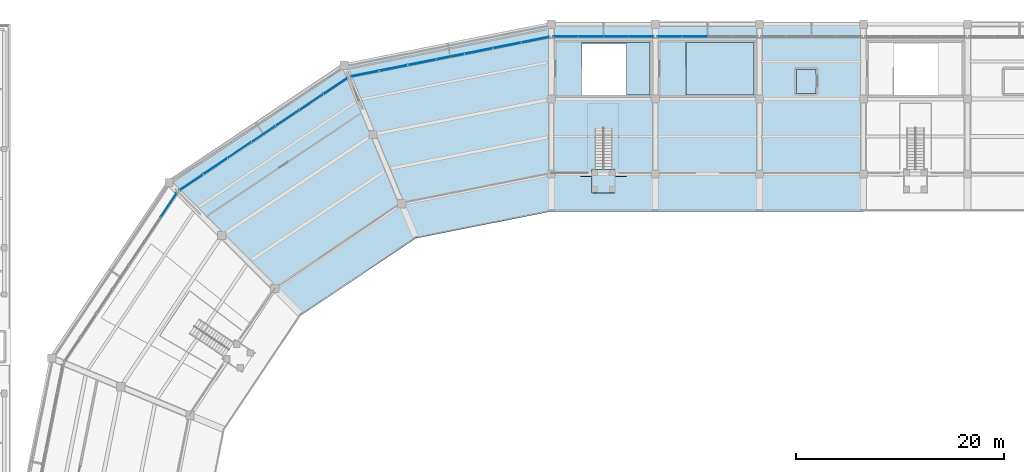
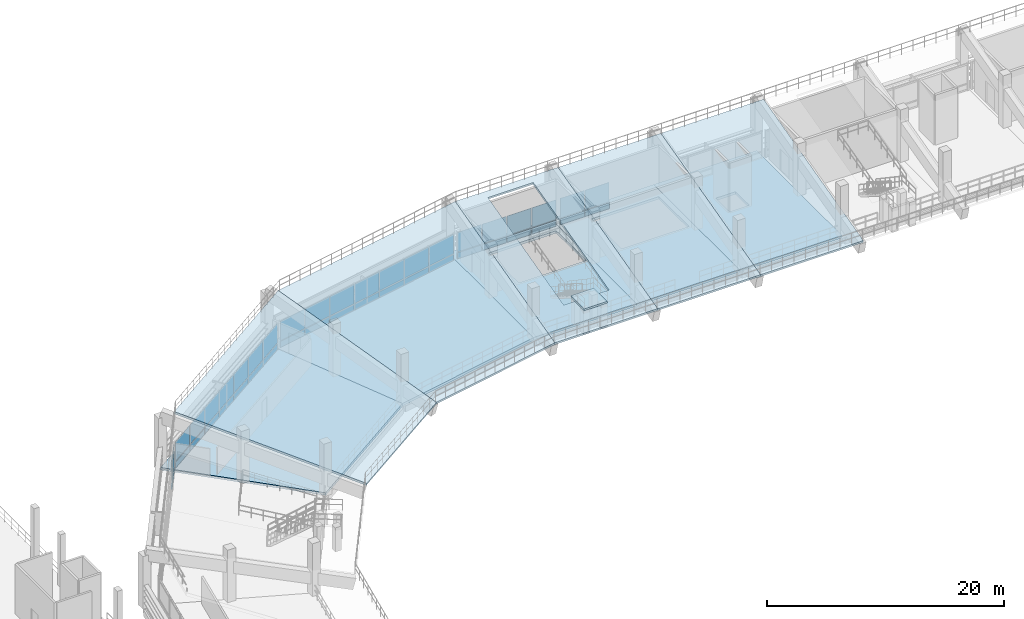
# One storey, part 56 of 96: 42 plates, 11 slabs, 6 elements without a shape of their own.
"""IFC4 building model written with IfcOpenShell, lengths in metres."""

from ifc_helpers import new_model, si_unit, direction, frame, origin, origin_2d, place, context, subcontext, project, spatial, polyline, rectangle, outline, extrude, material, layer, layer_set, type_object, element, aggregate, save


model = new_model("IFC4")

# Units and contexts
model_context = context("Model", 3, precision=1e-05, world=origin(), true_north=direction((0.0, 1.0)))
body_context = subcontext(model_context, "Body", "Model", "MODEL_VIEW")
ifc_project = project(units=[si_unit("LENGTHUNIT", "METRE"), si_unit("AREAUNIT", "SQUARE_METRE"), si_unit("VOLUMEUNIT", "CUBIC_METRE"), si_unit("PLANEANGLEUNIT", "RADIAN"), si_unit("MASSUNIT", "GRAM", prefix="KILO")], contexts=[model_context])

# Site, building, storey
site_placement = place(None, origin())
site = spatial("IfcSite", under=ifc_project, at=site_placement, CompositionType="ELEMENT")
building_placement = place(site_placement, origin())
building = spatial("IfcBuilding", under=site, at=building_placement, Name="Candeia Ridge Stadium", CompositionType="ELEMENT")
storey_placement = place(building_placement, frame((0.0, 0.0, 21.60009765625)))
storey = spatial("IfcBuildingStorey", under=building, at=storey_placement, Name="L04", CompositionType="ELEMENT", Elevation=21.60009765625)

# Slabs
ifc_material_1 = material(Name="Concrete C40/50", Category="concrete")
ifc_layer_1 = layer(ifc_material_1, 0.260009765625, Name="Concrete C40/50", Category="concrete")
ifc_layer_set_1 = layer_set([ifc_layer_1], Name="Concrete C40/50")
slab_type_1 = type_object("IfcSlabType", Name="Concourse Structural Slab 260", PredefinedType="FLOOR", material=ifc_layer_set_1)
slab_1_placement = place(storey_placement, frame((0.0, 0.0, -0.260009765625)))
element("IfcSlab", 1, at=slab_1_placement, inside=storey, type_object=slab_type_1, Name="Bowl concourse sector slab L04 bay 05 SLB-L04-0149", PredefinedType="FLOOR", context=body_context, shape_type="SweptSolid", body=[
    extrude(outline(polyline([(91.0, 132.60009765625), (91.0, 147.0), (101.0, 147.0), (101.0, 132.60009765625), (91.0, 132.60009765625)]), holes=[polyline([(96.449951171875, 140.35009765625), (96.449951171875, 142.64990234375), (94.550048828125, 142.64990234375), (94.550048828125, 140.35009765625), (96.449951171875, 140.35009765625)])]), origin(), (0.0, 0.0, 1.0), 0.260009765625),
])
slab_2_placement = place(storey_placement, frame((0.0, 0.0, -0.260009765625)))
element("IfcSlab", 2, at=slab_2_placement, inside=storey, type_object=slab_type_1, Name="Bowl concourse sector slab L04 bay 06 SLB-L04-0150", PredefinedType="FLOOR", context=body_context, shape_type="SweptSolid", body=[
    extrude(outline(polyline([(81.0, 132.60009765625), (81.0, 147.0), (91.0, 147.0), (91.0, 132.60009765625), (81.0, 132.60009765625)]), holes=[polyline([(90.5, 140.199951171875), (90.5, 145.25), (83.95068359375, 145.25), (83.95068359375, 140.199951171875), (90.5, 140.199951171875)])]), origin(), (0.0, 0.0, 1.0), 0.260009765625),
])
slab_3_placement = place(storey_placement, frame((0.0, 0.0, -0.260009765625)))
element("IfcSlab", 3, at=slab_3_placement, inside=storey, type_object=slab_type_1, Name="Bowl concourse sector slab L04 bay 07 SLB-L04-0151", PredefinedType="FLOOR", context=body_context, shape_type="SweptSolid", body=[
    extrude(outline(polyline([(71.0, 132.60009765625), (71.0, 147.0), (81.0, 147.0), (81.0, 132.60009765625), (71.0, 132.60009765625)]), holes=[polyline([(73.95068359375, 140.199951171875), (80.5, 140.199951171875), (80.5, 145.25), (73.95068359375, 145.25), (73.95068359375, 140.199951171875)])]), origin(), (0.0, 0.0, 1.0), 0.260009765625),
])
slab_4_placement = place(storey_placement, frame((0.0, 0.0, -0.260009765625)))
element("IfcSlab", 4, at=slab_4_placement, inside=storey, type_object=slab_type_1, Name="Bowl concourse sector slab L04 bay 08 SLB-L04-0152", PredefinedType="FLOOR", context=body_context, shape_type="SweptSolid", body=[
    extrude(outline(polyline([(56.611083984375, 129.73779296875), (51.1005859375, 143.041748046875), (71.0, 147.0), (71.0, 132.60009765625), (56.611083984375, 129.73779296875)])), origin(), (0.0, 0.0, 1.0), 0.260009765625),
])
slab_5_placement = place(storey_placement, frame((0.0, 0.0, -0.260009765625)))
element("IfcSlab", 5, at=slab_5_placement, inside=storey, type_object=slab_type_1, Name="Bowl concourse sector slab L04 bay 09 SLB-L04-0153", PredefinedType="FLOOR", context=body_context, shape_type="SweptSolid", body=[
    extrude(outline(polyline([(44.446044921875, 121.609375), (34.263671875, 131.791748046875), (51.1005859375, 143.041748046875), (56.611083984375, 129.73779296875), (44.446044921875, 121.609375)])), origin(), (0.0, 0.0, 1.0), 0.260009765625),
])

# Stair, slab
ifc_material_2 = material(Name="Precast concrete C45/55", Category="concrete")
stair_type = type_object("IfcStairType", Name="Spectator Vomitory Straight Stair 2200", PredefinedType="STRAIGHT_RUN_STAIR", material=ifc_material_2)
stair_placement = place(storey_placement, origin())
stair = element("IfcStair", 6, at=stair_placement, inside=storey, type_object=stair_type, Name="Vomitory stair VS27", PredefinedType="STRAIGHT_RUN_STAIR")
ifc_layer_2 = layer(ifc_material_1, 0.199951171875, Name="Concrete C40/50", Category="concrete")
ifc_layer_set_2 = layer_set([ifc_layer_2], Name="Concrete C40/50")
slab_type_2 = type_object("IfcSlabType", Name="Core Stair Landing Slab 200", PredefinedType="LANDING", material=ifc_layer_set_2)
slab_6_placement = place(storey_placement, frame((0.0, 0.0, 2.493896484375)))
slab_6 = element("IfcSlab", 7, at=slab_6_placement, type_object=slab_type_2, Name="VS27 landing 1", PredefinedType="LANDING", context=body_context, shape_type="SweptSolid", body=[
    extrude(outline(polyline([(77.1201171875, 133.032470703125), (77.1201171875, 130.781982421875), (74.8798828125, 130.781982421875), (74.8798828125, 133.032470703125), (77.1201171875, 133.032470703125)])), origin(), (0.0, 0.0, 1.0), 0.199951171875),
])
aggregate(stair, [slab_6])

# Curtain wall, plates
ifc_material_3 = material(Name="Aluminium Anodized Warm Bronze", Category="aluminium")
curtain_wall_type = type_object("IfcCurtainWallType", Name="Concourse Recessed Unitised Curtain Wall", PredefinedType="NOTDEFINED", material=ifc_material_3)
curtain_wall_1_placement = place(storey_placement, origin())
curtain_wall_1 = element("IfcCurtainWall", 8, at=curtain_wall_1_placement, inside=storey, type_object=curtain_wall_type, Name="Unitised curtain wall CW-BWL-L04-08", PredefinedType="NOTDEFINED")
ifc_material_4 = material(Name="Aluminium Insulated Spandrel", Category="aluminium")
ifc_layer_3 = layer(ifc_material_4, 0.06494140625, Name="Aluminium Insulated Spandrel", Category="aluminium")
ifc_layer_set_3 = layer_set([ifc_layer_3], Name="Aluminium Insulated Spandrel")
plate_type_1 = type_object("IfcPlateType", Name="Insulated Bronze Spandrel Panel SP1", PredefinedType="CURTAIN_PANEL", material=ifc_layer_set_3)
plate_1_placement = place(storey_placement, frame((50.254150390625, 141.060791015625, 0.0400390625), z_axis=(0.0, 0.0, 1.0), x_axis=(-0.831468800789, -0.555571447533, 0.0)))
plate_1 = element("IfcPlate", 9, at=plate_1_placement, type_object=plate_type_1, Name="Curtain wall spandrel panel CW-BWL-L04-08-SP0", PredefinedType="CURTAIN_PANEL", context=body_context, shape_type="SweptSolid", body=[
    extrude(rectangle(XDim=2.710205078125, YDim=0.06494140625, at=origin_2d()), origin(), (0.0, 0.0, 1.0), 0.613037109375),
])
plate_2_placement = place(storey_placement, frame((47.942626953125, 139.51611328125, 0.0400390625), z_axis=(0.0, 0.0, 1.0), x_axis=(-0.831468800789, -0.555571447533, 0.0)))
plate_2 = element("IfcPlate", 10, at=plate_2_placement, type_object=plate_type_1, Name="Curtain wall spandrel panel CW-BWL-L04-08-SP1", PredefinedType="CURTAIN_PANEL", context=body_context, shape_type="SweptSolid", body=[
    extrude(rectangle(XDim=2.710205078125, YDim=0.06494140625, at=origin_2d()), origin(), (0.0, 0.0, 1.0), 0.613037109375),
])
plate_3_placement = place(storey_placement, frame((45.630859375, 137.9716796875, 0.0400390625), z_axis=(0.0, 0.0, 1.0), x_axis=(-0.831468800789, -0.555571447533, 0.0)))
plate_3 = element("IfcPlate", 11, at=plate_3_placement, type_object=plate_type_1, Name="Curtain wall spandrel panel CW-BWL-L04-08-SP2", PredefinedType="CURTAIN_PANEL", context=body_context, shape_type="SweptSolid", body=[
    extrude(rectangle(XDim=2.710205078125, YDim=0.06494140625, at=origin_2d()), origin(), (0.0, 0.0, 1.0), 0.613037109375),
])
plate_4_placement = place(storey_placement, frame((43.3193359375, 136.427001953125, 0.0400390625), z_axis=(0.0, 0.0, 1.0), x_axis=(-0.831468800789, -0.555571447533, 0.0)))
plate_4 = element("IfcPlate", 12, at=plate_4_placement, type_object=plate_type_1, Name="Curtain wall spandrel panel CW-BWL-L04-08-SP3", PredefinedType="CURTAIN_PANEL", context=body_context, shape_type="SweptSolid", body=[
    extrude(rectangle(XDim=2.710205078125, YDim=0.06494140625, at=origin_2d()), origin(), (0.0, 0.0, 1.0), 0.613037109375),
])
plate_5_placement = place(storey_placement, frame((41.0078125, 134.882568359375, 0.0400390625), z_axis=(0.0, 0.0, 1.0), x_axis=(-0.831468800789, -0.555571447533, 0.0)))
plate_5 = element("IfcPlate", 13, at=plate_5_placement, type_object=plate_type_1, Name="Curtain wall spandrel panel CW-BWL-L04-08-SP4", PredefinedType="CURTAIN_PANEL", context=body_context, shape_type="SweptSolid", body=[
    extrude(rectangle(XDim=2.710205078125, YDim=0.06494140625, at=origin_2d()), origin(), (0.0, 0.0, 1.0), 0.613037109375),
])
plate_6_placement = place(storey_placement, frame((38.696044921875, 133.337890625, 0.0400390625), z_axis=(0.0, 0.0, 1.0), x_axis=(-0.831468800789, -0.555571447533, 0.0)))
plate_6 = element("IfcPlate", 14, at=plate_6_placement, type_object=plate_type_1, Name="Curtain wall spandrel panel CW-BWL-L04-08-SP5", PredefinedType="CURTAIN_PANEL", context=body_context, shape_type="SweptSolid", body=[
    extrude(rectangle(XDim=2.710205078125, YDim=0.06494140625, at=origin_2d()), origin(), (0.0, 0.0, 1.0), 0.613037109375),
])
plate_7_placement = place(storey_placement, frame((36.384521484375, 131.793212890625, 0.0400390625), z_axis=(0.0, 0.0, 1.0), x_axis=(-0.831468800789, -0.555571447533, 0.0)))
plate_7 = element("IfcPlate", 15, at=plate_7_placement, type_object=plate_type_1, Name="Curtain wall spandrel panel CW-BWL-L04-08-SP6", PredefinedType="CURTAIN_PANEL", context=body_context, shape_type="SweptSolid", body=[
    extrude(rectangle(XDim=2.710205078125, YDim=0.06494140625, at=origin_2d()), origin(), (0.0, 0.0, 1.0), 0.613037109375),
])

curtain_wall_2_placement = place(storey_placement, origin())
curtain_wall_2 = element("IfcCurtainWall", 16, at=curtain_wall_2_placement, inside=storey, type_object=curtain_wall_type, Name="Unitised curtain wall CW-BWL-L04-05", PredefinedType="NOTDEFINED")
ifc_layer_4 = layer(ifc_material_4, 0.06494140625, Name="Aluminium Insulated Spandrel", Category="aluminium")
ifc_layer_set_4 = layer_set([ifc_layer_4], Name="Aluminium Insulated Spandrel")
plate_type_2 = type_object("IfcPlateType", Name="Insulated Bronze Spandrel Panel SP2", PredefinedType="CURTAIN_PANEL", material=ifc_layer_set_4)
plate_8_placement = place(storey_placement, frame((84.794921875, 145.800048828125, 0.0400390625), z_axis=(0.0, 0.0, 1.0), x_axis=(-1.0, 0.0, 0.0)))
plate_8 = element("IfcPlate", 17, at=plate_8_placement, type_object=plate_type_2, Name="Curtain wall spandrel panel CW-BWL-L04-05-SP2", PredefinedType="CURTAIN_PANEL", context=body_context, shape_type="SweptSolid", body=[
    extrude(rectangle(XDim=2.340087890625, YDim=0.06494140625, at=origin_2d()), origin(), (0.0, 0.0, 1.0), 0.613037109375),
])
plate_9_placement = place(storey_placement, frame((82.385009765625, 145.800048828125, 0.0400390625), z_axis=(0.0, 0.0, 1.0), x_axis=(-1.0, 0.0, 0.0)))
plate_9 = element("IfcPlate", 18, at=plate_9_placement, type_object=plate_type_2, Name="Curtain wall spandrel panel CW-BWL-L04-05-SP3", PredefinedType="CURTAIN_PANEL", context=body_context, shape_type="SweptSolid", body=[
    extrude(rectangle(XDim=2.340087890625, YDim=0.06494140625, at=origin_2d()), origin(), (0.0, 0.0, 1.0), 0.613037109375),
])

# Curtain wall, plate
curtain_wall_3_placement = place(storey_placement, origin())
curtain_wall_3 = element("IfcCurtainWall", 19, at=curtain_wall_3_placement, inside=storey, type_object=curtain_wall_type, Name="Unitised curtain wall CW-BWL-L04-09", PredefinedType="NOTDEFINED")
plate_10_placement = place(storey_placement, frame((34.206787109375, 129.615478515625, 0.0400390625), z_axis=(0.0, 0.0, 1.0), x_axis=(-0.555571447533, -0.831468800789, 0.0)))
plate_10 = element("IfcPlate", 20, at=plate_10_placement, type_object=plate_type_2, Name="Curtain wall spandrel panel CW-BWL-L04-09-SP0", PredefinedType="CURTAIN_PANEL", context=body_context, shape_type="SweptSolid", body=[
    extrude(rectangle(XDim=2.710205078125, YDim=0.06494140625, at=origin_2d()), origin(), (0.0, 0.0, 1.0), 0.613037109375),
])

# Curtain wall, plates
curtain_wall_4_placement = place(storey_placement, origin())
curtain_wall_4 = element("IfcCurtainWall", 21, at=curtain_wall_4_placement, inside=storey, type_object=curtain_wall_type, Name="Unitised curtain wall CW-BWL-L04-06", PredefinedType="NOTDEFINED")
ifc_layer_5 = layer(ifc_material_4, 0.06494140625, Name="Aluminium Insulated Spandrel", Category="aluminium")
ifc_layer_set_5 = layer_set([ifc_layer_5], Name="Aluminium Insulated Spandrel")
plate_type_3 = type_object("IfcPlateType", Name="Insulated Bronze Spandrel Panel SP4", PredefinedType="CURTAIN_PANEL", material=ifc_layer_set_5)
plate_11_placement = place(storey_placement, frame((79.614990234375, 145.800048828125, 0.0400390625), z_axis=(0.0, 0.0, 1.0), x_axis=(-1.0, 0.0, 0.0)))
plate_11 = element("IfcPlate", 22, at=plate_11_placement, type_object=plate_type_3, Name="Curtain wall spandrel panel CW-BWL-L04-06-SP0", PredefinedType="CURTAIN_PANEL", context=body_context, shape_type="SweptSolid", body=[
    extrude(rectangle(XDim=2.340087890625, YDim=0.06494140625, at=origin_2d()), origin(), (0.0, 0.0, 1.0), 0.613037109375),
])
plate_12_placement = place(storey_placement, frame((77.205078125, 145.800048828125, 0.0400390625), z_axis=(0.0, 0.0, 1.0), x_axis=(-1.0, 0.0, 0.0)))
plate_12 = element("IfcPlate", 23, at=plate_12_placement, type_object=plate_type_3, Name="Curtain wall spandrel panel CW-BWL-L04-06-SP1", PredefinedType="CURTAIN_PANEL", context=body_context, shape_type="SweptSolid", body=[
    extrude(rectangle(XDim=2.340087890625, YDim=0.06494140625, at=origin_2d()), origin(), (0.0, 0.0, 1.0), 0.613037109375),
])
plate_13_placement = place(storey_placement, frame((74.794921875, 145.800048828125, 0.0400390625), z_axis=(0.0, 0.0, 1.0), x_axis=(-1.0, 0.0, 0.0)))
plate_13 = element("IfcPlate", 24, at=plate_13_placement, type_object=plate_type_3, Name="Curtain wall spandrel panel CW-BWL-L04-06-SP2", PredefinedType="CURTAIN_PANEL", context=body_context, shape_type="SweptSolid", body=[
    extrude(rectangle(XDim=2.340087890625, YDim=0.06494140625, at=origin_2d()), origin(), (0.0, 0.0, 1.0), 0.613037109375),
])
plate_14_placement = place(storey_placement, frame((72.385009765625, 145.800048828125, 0.0400390625), z_axis=(0.0, 0.0, 1.0), x_axis=(-1.0, 0.0, 0.0)))
plate_14 = element("IfcPlate", 25, at=plate_14_placement, type_object=plate_type_3, Name="Curtain wall spandrel panel CW-BWL-L04-06-SP3", PredefinedType="CURTAIN_PANEL", context=body_context, shape_type="SweptSolid", body=[
    extrude(rectangle(XDim=2.340087890625, YDim=0.06494140625, at=origin_2d()), origin(), (0.0, 0.0, 1.0), 0.613037109375),
])

curtain_wall_5_placement = place(storey_placement, origin())
curtain_wall_5 = element("IfcCurtainWall", 26, at=curtain_wall_5_placement, inside=storey, type_object=curtain_wall_type, Name="Unitised curtain wall CW-BWL-L04-07", PredefinedType="NOTDEFINED")
ifc_layer_6 = layer(ifc_material_4, 0.06494140625, Name="Aluminium Insulated Spandrel", Category="aluminium")
ifc_layer_set_6 = layer_set([ifc_layer_6], Name="Aluminium Insulated Spandrel")
plate_type_4 = type_object("IfcPlateType", Name="Insulated Bronze Spandrel Panel SP5", PredefinedType="CURTAIN_PANEL", material=ifc_layer_set_6)
plate_15_placement = place(storey_placement, frame((69.460205078125, 145.49365234375, 0.0400390625), z_axis=(0.0, 0.0, 1.0), x_axis=(-0.980785280696, -0.195090320544, 0.0)))
plate_15 = element("IfcPlate", 27, at=plate_15_placement, type_object=plate_type_4, Name="Curtain wall spandrel panel CW-BWL-L04-07-SP0", PredefinedType="CURTAIN_PANEL", context=body_context, shape_type="SweptSolid", body=[
    extrude(rectangle(XDim=2.710205078125, YDim=0.06494140625, at=origin_2d()), origin(), (0.0, 0.0, 1.0), 0.613037109375),
])
plate_16_placement = place(storey_placement, frame((66.7333984375, 144.951416015625, 0.0400390625), z_axis=(0.0, 0.0, 1.0), x_axis=(-0.980785280696, -0.195090320544, 0.0)))
plate_16 = element("IfcPlate", 28, at=plate_16_placement, type_object=plate_type_4, Name="Curtain wall spandrel panel CW-BWL-L04-07-SP1", PredefinedType="CURTAIN_PANEL", context=body_context, shape_type="SweptSolid", body=[
    extrude(rectangle(XDim=2.710205078125, YDim=0.06494140625, at=origin_2d()), origin(), (0.0, 0.0, 1.0), 0.613037109375),
])
plate_17_placement = place(storey_placement, frame((64.006591796875, 144.408935546875, 0.0400390625), z_axis=(0.0, 0.0, 1.0), x_axis=(-0.980785280696, -0.195090320544, 0.0)))
plate_17 = element("IfcPlate", 29, at=plate_17_placement, type_object=plate_type_4, Name="Curtain wall spandrel panel CW-BWL-L04-07-SP2", PredefinedType="CURTAIN_PANEL", context=body_context, shape_type="SweptSolid", body=[
    extrude(rectangle(XDim=2.710205078125, YDim=0.06494140625, at=origin_2d()), origin(), (0.0, 0.0, 1.0), 0.613037109375),
])
plate_18_placement = place(storey_placement, frame((61.27978515625, 143.86669921875, 0.0400390625), z_axis=(0.0, 0.0, 1.0), x_axis=(-0.980785280696, -0.195090320544, 0.0)))
plate_18 = element("IfcPlate", 30, at=plate_18_placement, type_object=plate_type_4, Name="Curtain wall spandrel panel CW-BWL-L04-07-SP3", PredefinedType="CURTAIN_PANEL", context=body_context, shape_type="SweptSolid", body=[
    extrude(rectangle(XDim=2.710205078125, YDim=0.06494140625, at=origin_2d()), origin(), (0.0, 0.0, 1.0), 0.613037109375),
])
plate_19_placement = place(storey_placement, frame((58.552978515625, 143.32421875, 0.0400390625), z_axis=(0.0, 0.0, 1.0), x_axis=(-0.980785280696, -0.195090320544, 0.0)))
plate_19 = element("IfcPlate", 31, at=plate_19_placement, type_object=plate_type_4, Name="Curtain wall spandrel panel CW-BWL-L04-07-SP4", PredefinedType="CURTAIN_PANEL", context=body_context, shape_type="SweptSolid", body=[
    extrude(rectangle(XDim=2.710205078125, YDim=0.06494140625, at=origin_2d()), origin(), (0.0, 0.0, 1.0), 0.613037109375),
])
plate_20_placement = place(storey_placement, frame((55.826416015625, 142.78173828125, 0.0400390625), z_axis=(0.0, 0.0, 1.0), x_axis=(-0.980785280696, -0.195090320544, 0.0)))
plate_20 = element("IfcPlate", 32, at=plate_20_placement, type_object=plate_type_4, Name="Curtain wall spandrel panel CW-BWL-L04-07-SP5", PredefinedType="CURTAIN_PANEL", context=body_context, shape_type="SweptSolid", body=[
    extrude(rectangle(XDim=2.710205078125, YDim=0.06494140625, at=origin_2d()), origin(), (0.0, 0.0, 1.0), 0.613037109375),
])
plate_21_placement = place(storey_placement, frame((53.099609375, 142.239501953125, 0.0400390625), z_axis=(0.0, 0.0, 1.0), x_axis=(-0.980785280696, -0.195090320544, 0.0)))
plate_21 = element("IfcPlate", 33, at=plate_21_placement, type_object=plate_type_4, Name="Curtain wall spandrel panel CW-BWL-L04-07-SP6", PredefinedType="CURTAIN_PANEL", context=body_context, shape_type="SweptSolid", body=[
    extrude(rectangle(XDim=2.710205078125, YDim=0.06494140625, at=origin_2d()), origin(), (0.0, 0.0, 1.0), 0.613037109375),
])

# Plate
ifc_material_5 = material(Name="Tempered Low-E Double Glazing", Category="glass")
ifc_layer_7 = layer(ifc_material_5, 0.035888671875, Name="Tempered Low-E Double Glazing", Category="glass")
ifc_layer_set_7 = layer_set([ifc_layer_7], Name="Tempered Low-E Double Glazing")
plate_type_5 = type_object("IfcPlateType", Name="Solar Control Vision Glass Panel GP1", PredefinedType="CURTAIN_PANEL", material=ifc_layer_set_7)
plate_22_placement = place(storey_placement, frame((50.254150390625, 141.060791015625, 0.733154296875), z_axis=(0.0, 0.0, 1.0), x_axis=(-0.831468800789, -0.555571447533, 0.0)))
plate_22 = element("IfcPlate", 34, at=plate_22_placement, type_object=plate_type_5, Name="Curtain wall vision glass panel CW-BWL-L04-08-GP0", PredefinedType="CURTAIN_PANEL", context=body_context, shape_type="SweptSolid", body=[
    extrude(rectangle(XDim=2.710205078125, YDim=0.035888671875, at=origin_2d()), origin(), (0.0, 0.0, 1.0), 1.9990234375),
])

plate_23_placement = place(storey_placement, frame((47.942626953125, 139.51611328125, 0.733154296875), z_axis=(0.0, 0.0, 1.0), x_axis=(-0.831468800789, -0.555571447533, 0.0)))
plate_23 = element("IfcPlate", 35, at=plate_23_placement, type_object=plate_type_5, Name="Curtain wall vision glass panel CW-BWL-L04-08-GP1", PredefinedType="CURTAIN_PANEL", context=body_context, shape_type="SweptSolid", body=[
    extrude(rectangle(XDim=2.710205078125, YDim=0.035888671875, at=origin_2d()), origin(), (0.0, 0.0, 1.0), 1.9990234375),
])

plate_24_placement = place(storey_placement, frame((45.630859375, 137.9716796875, 0.733154296875), z_axis=(0.0, 0.0, 1.0), x_axis=(-0.831468800789, -0.555571447533, 0.0)))
plate_24 = element("IfcPlate", 36, at=plate_24_placement, type_object=plate_type_5, Name="Curtain wall vision glass panel CW-BWL-L04-08-GP2", PredefinedType="CURTAIN_PANEL", context=body_context, shape_type="SweptSolid", body=[
    extrude(rectangle(XDim=2.710205078125, YDim=0.035888671875, at=origin_2d()), origin(), (0.0, 0.0, 1.0), 1.9990234375),
])

plate_25_placement = place(storey_placement, frame((43.3193359375, 136.427001953125, 0.733154296875), z_axis=(0.0, 0.0, 1.0), x_axis=(-0.831468800789, -0.555571447533, 0.0)))
plate_25 = element("IfcPlate", 37, at=plate_25_placement, type_object=plate_type_5, Name="Curtain wall vision glass panel CW-BWL-L04-08-GP3", PredefinedType="CURTAIN_PANEL", context=body_context, shape_type="SweptSolid", body=[
    extrude(rectangle(XDim=2.710205078125, YDim=0.035888671875, at=origin_2d()), origin(), (0.0, 0.0, 1.0), 1.9990234375),
])

plate_26_placement = place(storey_placement, frame((41.0078125, 134.882568359375, 0.733154296875), z_axis=(0.0, 0.0, 1.0), x_axis=(-0.831468800789, -0.555571447533, 0.0)))
plate_26 = element("IfcPlate", 38, at=plate_26_placement, type_object=plate_type_5, Name="Curtain wall vision glass panel CW-BWL-L04-08-GP4", PredefinedType="CURTAIN_PANEL", context=body_context, shape_type="SweptSolid", body=[
    extrude(rectangle(XDim=2.710205078125, YDim=0.035888671875, at=origin_2d()), origin(), (0.0, 0.0, 1.0), 1.9990234375),
])

plate_27_placement = place(storey_placement, frame((38.696044921875, 133.337890625, 0.733154296875), z_axis=(0.0, 0.0, 1.0), x_axis=(-0.831468800789, -0.555571447533, 0.0)))
plate_27 = element("IfcPlate", 39, at=plate_27_placement, type_object=plate_type_5, Name="Curtain wall vision glass panel CW-BWL-L04-08-GP5", PredefinedType="CURTAIN_PANEL", context=body_context, shape_type="SweptSolid", body=[
    extrude(rectangle(XDim=2.710205078125, YDim=0.035888671875, at=origin_2d()), origin(), (0.0, 0.0, 1.0), 1.9990234375),
])

plate_28_placement = place(storey_placement, frame((36.384521484375, 131.793212890625, 0.733154296875), z_axis=(0.0, 0.0, 1.0), x_axis=(-0.831468800789, -0.555571447533, 0.0)))
plate_28 = element("IfcPlate", 40, at=plate_28_placement, type_object=plate_type_5, Name="Curtain wall vision glass panel CW-BWL-L04-08-GP6", PredefinedType="CURTAIN_PANEL", context=body_context, shape_type="SweptSolid", body=[
    extrude(rectangle(XDim=2.710205078125, YDim=0.035888671875, at=origin_2d()), origin(), (0.0, 0.0, 1.0), 1.9990234375),
])

aggregate(curtain_wall_1, [plate_1, plate_22, plate_2, plate_23, plate_3, plate_24, plate_4, plate_25, plate_5, plate_26, plate_6, plate_27, plate_7, plate_28])

ifc_layer_8 = layer(ifc_material_5, 0.035888671875, Name="Tempered Low-E Double Glazing", Category="glass")
ifc_layer_set_8 = layer_set([ifc_layer_8], Name="Tempered Low-E Double Glazing")
plate_type_6 = type_object("IfcPlateType", Name="Solar Control Vision Glass Panel GP2", PredefinedType="CURTAIN_PANEL", material=ifc_layer_set_8)
plate_29_placement = place(storey_placement, frame((34.206787109375, 129.615478515625, 0.733154296875), z_axis=(0.0, 0.0, 1.0), x_axis=(-0.555571447533, -0.831468800789, 0.0)))
plate_29 = element("IfcPlate", 41, at=plate_29_placement, type_object=plate_type_6, Name="Curtain wall vision glass panel CW-BWL-L04-09-GP0", PredefinedType="CURTAIN_PANEL", context=body_context, shape_type="SweptSolid", body=[
    extrude(rectangle(XDim=2.710205078125, YDim=0.035888671875, at=origin_2d()), origin(), (0.0, 0.0, 1.0), 1.9990234375),
])

aggregate(curtain_wall_3, [plate_10, plate_29])

ifc_layer_9 = layer(ifc_material_5, 0.035888671875, Name="Tempered Low-E Double Glazing", Category="glass")
ifc_layer_set_9 = layer_set([ifc_layer_9], Name="Tempered Low-E Double Glazing")
plate_type_7 = type_object("IfcPlateType", Name="Solar Control Vision Glass Panel GP6", PredefinedType="CURTAIN_PANEL", material=ifc_layer_set_9)
plate_30_placement = place(storey_placement, frame((84.794921875, 145.800048828125, 0.733154296875), z_axis=(0.0, 0.0, 1.0), x_axis=(-1.0, 0.0, 0.0)))
plate_30 = element("IfcPlate", 42, at=plate_30_placement, type_object=plate_type_7, Name="Curtain wall vision glass panel CW-BWL-L04-05-GP2", PredefinedType="CURTAIN_PANEL", context=body_context, shape_type="SweptSolid", body=[
    extrude(rectangle(XDim=2.340087890625, YDim=0.035888671875, at=origin_2d()), origin(), (0.0, 0.0, 1.0), 1.9990234375),
])

plate_31_placement = place(storey_placement, frame((82.385009765625, 145.800048828125, 0.733154296875), z_axis=(0.0, 0.0, 1.0), x_axis=(-1.0, 0.0, 0.0)))
plate_31 = element("IfcPlate", 43, at=plate_31_placement, type_object=plate_type_7, Name="Curtain wall vision glass panel CW-BWL-L04-05-GP3", PredefinedType="CURTAIN_PANEL", context=body_context, shape_type="SweptSolid", body=[
    extrude(rectangle(XDim=2.340087890625, YDim=0.035888671875, at=origin_2d()), origin(), (0.0, 0.0, 1.0), 1.9990234375),
])

aggregate(curtain_wall_2, [plate_8, plate_30, plate_9, plate_31])

ifc_layer_10 = layer(ifc_material_5, 0.035888671875, Name="Tempered Low-E Double Glazing", Category="glass")
ifc_layer_set_10 = layer_set([ifc_layer_10], Name="Tempered Low-E Double Glazing")
plate_type_8 = type_object("IfcPlateType", Name="Solar Control Vision Glass Panel GP7", PredefinedType="CURTAIN_PANEL", material=ifc_layer_set_10)
plate_32_placement = place(storey_placement, frame((79.614990234375, 145.800048828125, 0.733154296875), z_axis=(0.0, 0.0, 1.0), x_axis=(-1.0, 0.0, 0.0)))
plate_32 = element("IfcPlate", 44, at=plate_32_placement, type_object=plate_type_8, Name="Curtain wall vision glass panel CW-BWL-L04-06-GP0", PredefinedType="CURTAIN_PANEL", context=body_context, shape_type="SweptSolid", body=[
    extrude(rectangle(XDim=2.340087890625, YDim=0.035888671875, at=origin_2d()), origin(), (0.0, 0.0, 1.0), 1.9990234375),
])

plate_33_placement = place(storey_placement, frame((77.205078125, 145.800048828125, 0.733154296875), z_axis=(0.0, 0.0, 1.0), x_axis=(-1.0, 0.0, 0.0)))
plate_33 = element("IfcPlate", 45, at=plate_33_placement, type_object=plate_type_8, Name="Curtain wall vision glass panel CW-BWL-L04-06-GP1", PredefinedType="CURTAIN_PANEL", context=body_context, shape_type="SweptSolid", body=[
    extrude(rectangle(XDim=2.340087890625, YDim=0.035888671875, at=origin_2d()), origin(), (0.0, 0.0, 1.0), 1.9990234375),
])

plate_34_placement = place(storey_placement, frame((74.794921875, 145.800048828125, 0.733154296875), z_axis=(0.0, 0.0, 1.0), x_axis=(-1.0, 0.0, 0.0)))
plate_34 = element("IfcPlate", 46, at=plate_34_placement, type_object=plate_type_8, Name="Curtain wall vision glass panel CW-BWL-L04-06-GP2", PredefinedType="CURTAIN_PANEL", context=body_context, shape_type="SweptSolid", body=[
    extrude(rectangle(XDim=2.340087890625, YDim=0.035888671875, at=origin_2d()), origin(), (0.0, 0.0, 1.0), 1.9990234375),
])

plate_35_placement = place(storey_placement, frame((72.385009765625, 145.800048828125, 0.733154296875), z_axis=(0.0, 0.0, 1.0), x_axis=(-1.0, 0.0, 0.0)))
plate_35 = element("IfcPlate", 47, at=plate_35_placement, type_object=plate_type_8, Name="Curtain wall vision glass panel CW-BWL-L04-06-GP3", PredefinedType="CURTAIN_PANEL", context=body_context, shape_type="SweptSolid", body=[
    extrude(rectangle(XDim=2.340087890625, YDim=0.035888671875, at=origin_2d()), origin(), (0.0, 0.0, 1.0), 1.9990234375),
])

aggregate(curtain_wall_4, [plate_11, plate_32, plate_12, plate_33, plate_13, plate_34, plate_14, plate_35])

ifc_layer_11 = layer(ifc_material_5, 0.035888671875, Name="Tempered Low-E Double Glazing", Category="glass")
ifc_layer_set_11 = layer_set([ifc_layer_11], Name="Tempered Low-E Double Glazing")
plate_type_9 = type_object("IfcPlateType", Name="Solar Control Vision Glass Panel GP8", PredefinedType="CURTAIN_PANEL", material=ifc_layer_set_11)
plate_36_placement = place(storey_placement, frame((69.460205078125, 145.49365234375, 0.733154296875), z_axis=(0.0, 0.0, 1.0), x_axis=(-0.980785280696, -0.195090320544, 0.0)))
plate_36 = element("IfcPlate", 48, at=plate_36_placement, type_object=plate_type_9, Name="Curtain wall vision glass panel CW-BWL-L04-07-GP0", PredefinedType="CURTAIN_PANEL", context=body_context, shape_type="SweptSolid", body=[
    extrude(rectangle(XDim=2.710205078125, YDim=0.035888671875, at=origin_2d()), origin(), (0.0, 0.0, 1.0), 1.9990234375),
])

plate_37_placement = place(storey_placement, frame((66.7333984375, 144.951416015625, 0.733154296875), z_axis=(0.0, 0.0, 1.0), x_axis=(-0.980785280696, -0.195090320544, 0.0)))
plate_37 = element("IfcPlate", 49, at=plate_37_placement, type_object=plate_type_9, Name="Curtain wall vision glass panel CW-BWL-L04-07-GP1", PredefinedType="CURTAIN_PANEL", context=body_context, shape_type="SweptSolid", body=[
    extrude(rectangle(XDim=2.710205078125, YDim=0.035888671875, at=origin_2d()), origin(), (0.0, 0.0, 1.0), 1.9990234375),
])

plate_38_placement = place(storey_placement, frame((64.006591796875, 144.408935546875, 0.733154296875), z_axis=(0.0, 0.0, 1.0), x_axis=(-0.980785280696, -0.195090320544, 0.0)))
plate_38 = element("IfcPlate", 50, at=plate_38_placement, type_object=plate_type_9, Name="Curtain wall vision glass panel CW-BWL-L04-07-GP2", PredefinedType="CURTAIN_PANEL", context=body_context, shape_type="SweptSolid", body=[
    extrude(rectangle(XDim=2.710205078125, YDim=0.035888671875, at=origin_2d()), origin(), (0.0, 0.0, 1.0), 1.9990234375),
])

plate_39_placement = place(storey_placement, frame((61.27978515625, 143.86669921875, 0.733154296875), z_axis=(0.0, 0.0, 1.0), x_axis=(-0.980785280696, -0.195090320544, 0.0)))
plate_39 = element("IfcPlate", 51, at=plate_39_placement, type_object=plate_type_9, Name="Curtain wall vision glass panel CW-BWL-L04-07-GP3", PredefinedType="CURTAIN_PANEL", context=body_context, shape_type="SweptSolid", body=[
    extrude(rectangle(XDim=2.710205078125, YDim=0.035888671875, at=origin_2d()), origin(), (0.0, 0.0, 1.0), 1.9990234375),
])

plate_40_placement = place(storey_placement, frame((58.552978515625, 143.32421875, 0.733154296875), z_axis=(0.0, 0.0, 1.0), x_axis=(-0.980785280696, -0.195090320544, 0.0)))
plate_40 = element("IfcPlate", 52, at=plate_40_placement, type_object=plate_type_9, Name="Curtain wall vision glass panel CW-BWL-L04-07-GP4", PredefinedType="CURTAIN_PANEL", context=body_context, shape_type="SweptSolid", body=[
    extrude(rectangle(XDim=2.710205078125, YDim=0.035888671875, at=origin_2d()), origin(), (0.0, 0.0, 1.0), 1.9990234375),
])

plate_41_placement = place(storey_placement, frame((55.826416015625, 142.78173828125, 0.733154296875), z_axis=(0.0, 0.0, 1.0), x_axis=(-0.980785280696, -0.195090320544, 0.0)))
plate_41 = element("IfcPlate", 53, at=plate_41_placement, type_object=plate_type_9, Name="Curtain wall vision glass panel CW-BWL-L04-07-GP5", PredefinedType="CURTAIN_PANEL", context=body_context, shape_type="SweptSolid", body=[
    extrude(rectangle(XDim=2.710205078125, YDim=0.035888671875, at=origin_2d()), origin(), (0.0, 0.0, 1.0), 1.9990234375),
])

plate_42_placement = place(storey_placement, frame((53.099609375, 142.239501953125, 0.733154296875), z_axis=(0.0, 0.0, 1.0), x_axis=(-0.980785280696, -0.195090320544, 0.0)))
plate_42 = element("IfcPlate", 54, at=plate_42_placement, type_object=plate_type_9, Name="Curtain wall vision glass panel CW-BWL-L04-07-GP6", PredefinedType="CURTAIN_PANEL", context=body_context, shape_type="SweptSolid", body=[
    extrude(rectangle(XDim=2.710205078125, YDim=0.035888671875, at=origin_2d()), origin(), (0.0, 0.0, 1.0), 1.9990234375),
])

aggregate(curtain_wall_5, [plate_15, plate_36, plate_16, plate_37, plate_17, plate_38, plate_18, plate_39, plate_19, plate_40, plate_20, plate_41, plate_21, plate_42])

# Slabs
ifc_layer_12 = layer(ifc_material_2, 0.239990234375, Name="Precast concrete C45/55", Category="concrete")
ifc_layer_set_12 = layer_set([ifc_layer_12], Name="Precast concrete C45/55")
slab_type_3 = type_object("IfcSlabType", Name="Upper Cantilever Tier Precast 240", PredefinedType="USERDEFINED", material=ifc_layer_set_12)
for number, where, z_axis, x_axis, name in (
    (55, (101.0, 129.0, 1.64990234375), (0.0, -0.25066676964, 0.968073432441), (-1.0, 0.0, 0.0), "Stand Upper Tier Stands Bay 05"),
    (56, (91.0, 129.0, 1.64990234375), (0.0, -0.25066676964, 0.968073432441), (-1.0, 0.0, 0.0), "Stand Upper Tier Stands Bay 06"),
):
    element("IfcSlab", number, at=place(storey_placement, frame(where, z_axis=z_axis, x_axis=x_axis)), inside=storey, type_object=slab_type_3, Name=name, ObjectType="SEATING TIER", PredefinedType="USERDEFINED", context=body_context, shape_type="SweptSolid", body=[
        extrude(outline(polyline([(0.0, 0.0), (10.0, 0.0), (10.0, -17.354105861331373), (0.0, -17.354105861331373), (0.0, 0.0)])), origin(), (0.0, 0.0, -1.0), 0.239990234375),
    ])
slab_7_placement = place(storey_placement, frame((81.0, 129.0, 1.64990234375), z_axis=(0.0, -0.25066676964, 0.968073432441), x_axis=(-1.0, 0.0, 0.0)))
element("IfcSlab", 57, at=slab_7_placement, inside=storey, type_object=slab_type_3, Name="Stand Upper Tier Stands Bay 07", ObjectType="SEATING TIER", PredefinedType="USERDEFINED", context=body_context, shape_type="SweptSolid", body=[
    extrude(outline(polyline([(0.0, 0.0), (10.0, 0.0), (10.0, -17.354105861331373), (0.0, -17.354105861331373), (0.0, 0.0)]), holes=[polyline([(2.800048828125, -3.470940189864134), (7.199951171875, -3.470940189864134), (7.199951171875, -16.65981104534905), (2.800048828125, -16.65981104534905), (2.800048828125, -3.470940189864134)])]), origin(), (0.0, 0.0, -1.0), 0.239990234375),
])
slab_8_placement = place(storey_placement, frame((71.0, 129.0, 1.64990234375), z_axis=(0.049798786666, -0.2503576128, 0.966871835643), x_axis=(-0.980787398066, -0.195079675491, 2.420734e-06)))
element("IfcSlab", 58, at=slab_8_placement, inside=storey, type_object=slab_type_3, Name="Stand Upper Tier Stands Bay 08", ObjectType="SEATING TIER", PredefinedType="USERDEFINED", context=body_context, shape_type="SweptSolid", body=[
    extrude(outline(polyline([(0.0, 0.0), (13.265856290361187, -4.440892098500626e-16), (16.54347406288541, -17.04151855011149), (-3.277337543188954, -17.04183232147286), (0.0, 0.0)])), origin(), (0.0, 0.0, -1.0), 0.239990234375),
])
slab_9_placement = place(storey_placement, frame((57.989013671875, 126.412109375, 1.64990234375), z_axis=(0.14181603517, -0.212249411471, 0.96687041505), x_axis=(-0.831488541438, -0.555541902497, 5.136556e-06)))
element("IfcSlab", 59, at=slab_9_placement, inside=storey, type_object=slab_type_3, Name="Stand Upper Tier Stands Bay 09", ObjectType="SEATING TIER", PredefinedType="USERDEFINED", context=body_context, shape_type="SweptSolid", body=[
    extrude(outline(polyline([(0.0, 0.0), (13.266563896581555, -8.881784197001252e-16), (16.54453049508134, -17.04098330454092), (-3.2769388731758253, -17.041649109583425), (0.0, 0.0)])), origin(), (0.0, 0.0, -1.0), 0.239990234375),
])

save(model, "model.ifc")
